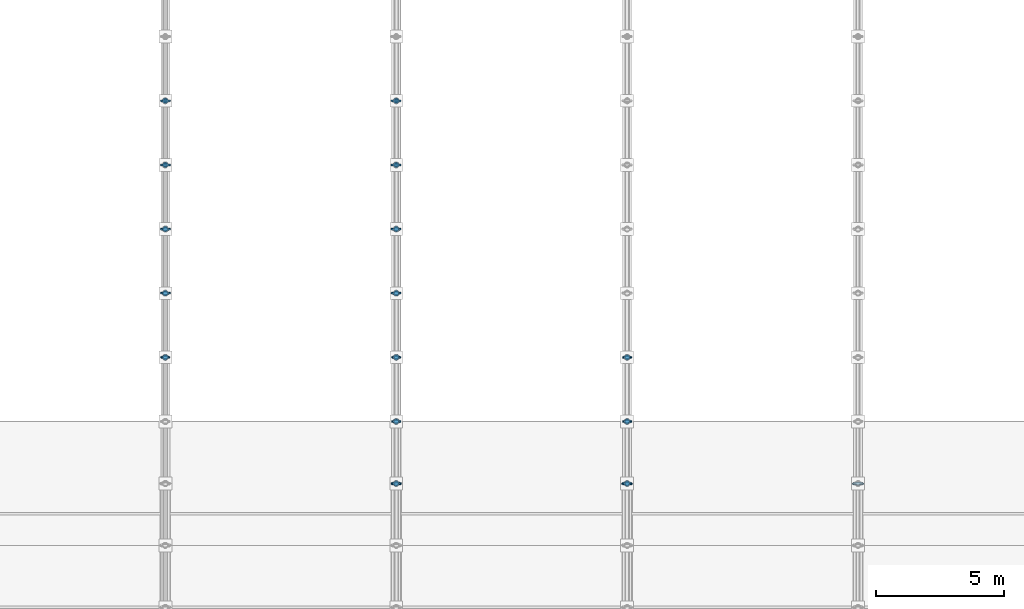
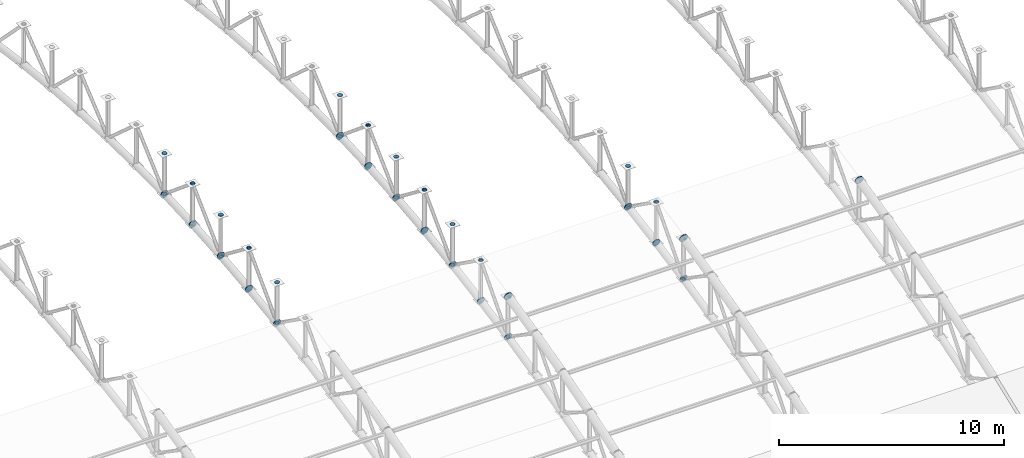
# One storey, part 123 of 195: 93 discrete accessories.
"""IFC4 building model written with IfcOpenShell, lengths in metres."""

from ifc_helpers import new_model, si_unit, direction, frame, origin, origin_2d, place, context, subcontext, project, spatial, circle, extrude, material, element, save


model = new_model("IFC4")

# Units and contexts
model_context = context("Model", 3, precision=1e-05, world=origin(), true_north=direction((0.0, 1.0)))
body_context = subcontext(model_context, "Body", "Model", "MODEL_VIEW")
ifc_project = project(units=[si_unit("LENGTHUNIT", "METRE"), si_unit("AREAUNIT", "SQUARE_METRE"), si_unit("VOLUMEUNIT", "CUBIC_METRE"), si_unit("PLANEANGLEUNIT", "RADIAN"), si_unit("MASSUNIT", "GRAM", prefix="KILO")], contexts=[model_context])

# Site, building, storey
site_placement = place(None, origin())
site = spatial("IfcSite", under=ifc_project, at=site_placement, CompositionType="ELEMENT")
building_placement = place(site_placement, origin())
building = spatial("IfcBuilding", under=site, at=building_placement, Name="Marlcrest Central Station", CompositionType="ELEMENT")
storey_placement = place(building_placement, frame((0.0, 0.0, 9.800048828125)))
storey = spatial("IfcBuildingStorey", under=building, at=storey_placement, Name="L02", CompositionType="ELEMENT", Elevation=9.800048828125)

# Discrete accessories
ifc_material = material(Name="Steel S355", Category="steel")
discrete_accessory_1_placement = place(storey_placement, frame((36.0, 53.475341796875, 3.826416015625), z_axis=(0.0, 0.98574109921, 0.168269086076), x_axis=(-1.0, 0.0, 0.0)))
element("IfcDiscreteAccessory", 1, at=discrete_accessory_1_placement, inside=storey, material=ifc_material, Name="endcap-mem-AC-02-L02-00552-e", ObjectType="END_CAP_PLATE", PredefinedType="BRACKET", context=body_context, shape_type="SweptSolid", body=[
    extrude(circle(Radius=0.185791015625, at=origin_2d()), origin(), (0.0, 0.0, 1.0), 0.0400390625),
])
discrete_accessory_2_placement = place(storey_placement, frame((36.0, 53.4794921875, 3.844970703125), z_axis=(0.0, 0.815661132754, -0.57852996164), x_axis=(-1.0, 0.0, 0.0)))
element("IfcDiscreteAccessory", 2, at=discrete_accessory_2_placement, inside=storey, material=ifc_material, Name="endcap-mem-AD-01-L02-00554-e", ObjectType="END_CAP_PLATE", PredefinedType="BRACKET", context=body_context, shape_type="SweptSolid", body=[
    extrude(circle(Radius=0.092041015625, at=origin_2d()), origin(), (0.0, 0.0, 1.0), 0.0400390625),
])
for number, where, z_axis, x_axis, name in (
    (3, (36.0, 53.485107421875, 3.82861328125), (0.0, 0.990402740232, 0.138211476152), (-1.0, 0.0, 0.0), "endcap-mem-AC-02-L02-00556-s"),
    (4, (36.0, 55.975341796875, 4.176025390625), (0.0, 0.990402740232, 0.138211476152), (-1.0, 0.0, 0.0), "endcap-mem-AC-02-L02-00556-e"),
):
    element("IfcDiscreteAccessory", number, at=place(storey_placement, frame(where, z_axis=z_axis, x_axis=x_axis)), inside=storey, material=ifc_material, Name=name, ObjectType="END_CAP_PLATE", PredefinedType="BRACKET", context=body_context, shape_type="SweptSolid", body=[
        extrude(circle(Radius=0.185791015625, at=origin_2d()), origin(), (0.0, 0.0, 1.0), 0.0400390625),
    ])
for number, where, z_axis, x_axis, name in (
    (5, (36.0, 53.5, 3.815673828125), (0.0, 0.0, 1.0), (1.0, 0.0, 0.0), "endcap-mem-AP-01-L02-00557-s"),
    (6, (36.0, 53.5, 6.005615234375), (0.0, 0.0, 1.0), (1.0, 0.0, 0.0), "endcap-mem-AP-01-L02-00557-e"),
):
    element("IfcDiscreteAccessory", number, at=place(storey_placement, frame(where, z_axis=z_axis, x_axis=x_axis)), inside=storey, material=ifc_material, Name=name, ObjectType="END_CAP_PLATE", PredefinedType="BRACKET", context=body_context, shape_type="SweptSolid", body=[
        extrude(circle(Radius=0.117431640625, at=origin_2d()), origin(), (0.0, 0.0, 1.0), 0.0400390625),
    ])
for number, where, z_axis, x_axis, name in (
    (7, (36.0, 53.489501953125, 3.81982421875), (0.0, 0.70023547796, 0.713911952139), (-1.0, 0.0, 0.0), "endcap-mem-AD-01-L02-00558-s"),
    (8, (36.0, 55.982421875, 6.361572265625), (0.0, 0.70023547796, 0.713911952139), (-1.0, 0.0, 0.0), "endcap-mem-AD-01-L02-00558-e"),
):
    element("IfcDiscreteAccessory", number, at=place(storey_placement, frame(where, z_axis=z_axis, x_axis=x_axis)), inside=storey, material=ifc_material, Name=name, ObjectType="END_CAP_PLATE", PredefinedType="BRACKET", context=body_context, shape_type="SweptSolid", body=[
        extrude(circle(Radius=0.092041015625, at=origin_2d()), origin(), (0.0, 0.0, 1.0), 0.0400390625),
    ])
for number, where, z_axis, x_axis, name in (
    (9, (36.0, 55.985107421875, 4.177734375), (0.0, 0.994155341034, 0.107959056565), (-1.0, 0.0, 0.0), "endcap-mem-AC-02-L02-00560-s"),
    (10, (36.0, 58.47509765625, 4.4482421875), (0.0, 0.994155341034, 0.107959056565), (-1.0, 0.0, 0.0), "endcap-mem-AC-02-L02-00560-e"),
):
    element("IfcDiscreteAccessory", number, at=place(storey_placement, frame(where, z_axis=z_axis, x_axis=x_axis)), inside=storey, material=ifc_material, Name=name, ObjectType="END_CAP_PLATE", PredefinedType="BRACKET", context=body_context, shape_type="SweptSolid", body=[
        extrude(circle(Radius=0.185791015625, at=origin_2d()), origin(), (0.0, 0.0, 1.0), 0.0400390625),
    ])
for number, where, z_axis, x_axis, name in (
    (11, (36.0, 56.0, 4.16455078125), (0.0, 0.0, 1.0), (1.0, 0.0, 0.0), "endcap-mem-AP-01-L02-00561-s"),
    (12, (36.0, 56.0, 6.3544921875), (0.0, 0.0, 1.0), (1.0, 0.0, 0.0), "endcap-mem-AP-01-L02-00561-e"),
):
    element("IfcDiscreteAccessory", number, at=place(storey_placement, frame(where, z_axis=z_axis, x_axis=x_axis)), inside=storey, material=ifc_material, Name=name, ObjectType="END_CAP_PLATE", PredefinedType="BRACKET", context=body_context, shape_type="SweptSolid", body=[
        extrude(circle(Radius=0.117431640625, at=origin_2d()), origin(), (0.0, 0.0, 1.0), 0.0400390625),
    ])
for number, where, z_axis, x_axis, name in (
    (13, (36.0, 55.988037109375, 6.388671875), (0.0, 0.791798282026, -0.610782678684), (-1.0, 0.0, 0.0), "endcap-mem-AD-01-L02-00562-s"),
    (14, (36.0, 58.480224609375, 4.46630859375), (0.0, 0.791798282026, -0.610782678684), (-1.0, 0.0, 0.0), "endcap-mem-AD-01-L02-00562-e"),
):
    element("IfcDiscreteAccessory", number, at=place(storey_placement, frame(where, z_axis=z_axis, x_axis=x_axis)), inside=storey, material=ifc_material, Name=name, ObjectType="END_CAP_PLATE", PredefinedType="BRACKET", context=body_context, shape_type="SweptSolid", body=[
        extrude(circle(Radius=0.092041015625, at=origin_2d()), origin(), (0.0, 0.0, 1.0), 0.0400390625),
    ])
for number, where, z_axis, x_axis, name in (
    (15, (36.0, 58.485107421875, 4.44970703125), (0.0, 0.997007334767, 0.077307014043), (-1.0, 0.0, 0.0), "endcap-mem-AC-02-L02-00564-s"),
    (16, (36.0, 60.97509765625, 4.642822265625), (0.0, 0.997007334767, 0.077307014043), (-1.0, 0.0, 0.0), "endcap-mem-AC-02-L02-00564-e"),
):
    element("IfcDiscreteAccessory", number, at=place(storey_placement, frame(where, z_axis=z_axis, x_axis=x_axis)), inside=storey, material=ifc_material, Name=name, ObjectType="END_CAP_PLATE", PredefinedType="BRACKET", context=body_context, shape_type="SweptSolid", body=[
        extrude(circle(Radius=0.185791015625, at=origin_2d()), origin(), (0.0, 0.0, 1.0), 0.0400390625),
    ])
for number, where, z_axis, x_axis, name in (
    (17, (36.0, 58.5, 4.43603515625), (0.0, 0.0, 1.0), (1.0, 0.0, 0.0), "endcap-mem-AP-01-L02-00565-s"),
    (18, (36.0, 58.5, 6.6259765625), (0.0, 0.0, 1.0), (1.0, 0.0, 0.0), "endcap-mem-AP-01-L02-00565-e"),
):
    element("IfcDiscreteAccessory", number, at=place(storey_placement, frame(where, z_axis=z_axis, x_axis=x_axis)), inside=storey, material=ifc_material, Name=name, ObjectType="END_CAP_PLATE", PredefinedType="BRACKET", context=body_context, shape_type="SweptSolid", body=[
        extrude(circle(Radius=0.117431640625, at=origin_2d()), origin(), (0.0, 0.0, 1.0), 0.0400390625),
    ])
for number, where, z_axis, x_axis, name in (
    (19, (36.0, 58.4892578125, 4.440673828125), (0.0, 0.722246537655, 0.691635698071), (-1.0, 0.0, 0.0), "endcap-mem-AD-01-L02-00566-s"),
    (20, (36.0, 60.98193359375, 6.82763671875), (0.0, 0.722246537655, 0.691635698071), (-1.0, 0.0, 0.0), "endcap-mem-AD-01-L02-00566-e"),
):
    element("IfcDiscreteAccessory", number, at=place(storey_placement, frame(where, z_axis=z_axis, x_axis=x_axis)), inside=storey, material=ifc_material, Name=name, ObjectType="END_CAP_PLATE", PredefinedType="BRACKET", context=body_context, shape_type="SweptSolid", body=[
        extrude(circle(Radius=0.092041015625, at=origin_2d()), origin(), (0.0, 0.0, 1.0), 0.0400390625),
    ])
for number, where, z_axis, x_axis, name in (
    (21, (36.0, 60.985107421875, 4.64404296875), (0.0, 0.998916819647, 0.046531574509), (-1.0, 0.0, 0.0), "endcap-mem-AC-02-L02-00568-s"),
    (22, (36.0, 63.47509765625, 4.760009765625), (0.0, 0.998916819647, 0.046531574509), (-1.0, 0.0, 0.0), "endcap-mem-AC-02-L02-00568-e"),
):
    element("IfcDiscreteAccessory", number, at=place(storey_placement, frame(where, z_axis=z_axis, x_axis=x_axis)), inside=storey, material=ifc_material, Name=name, ObjectType="END_CAP_PLATE", PredefinedType="BRACKET", context=body_context, shape_type="SweptSolid", body=[
        extrude(circle(Radius=0.185791015625, at=origin_2d()), origin(), (0.0, 0.0, 1.0), 0.0400390625),
    ])
for number, where, z_axis, x_axis, name in (
    (23, (36.0, 61.0, 4.6298828125), (0.0, 0.0, 1.0), (1.0, 0.0, 0.0), "endcap-mem-AP-01-L02-00569-s"),
    (24, (36.0, 61.0, 6.820068359375), (0.0, 0.0, 1.0), (1.0, 0.0, 0.0), "endcap-mem-AP-01-L02-00569-e"),
):
    element("IfcDiscreteAccessory", number, at=place(storey_placement, frame(where, z_axis=z_axis, x_axis=x_axis)), inside=storey, material=ifc_material, Name=name, ObjectType="END_CAP_PLATE", PredefinedType="BRACKET", context=body_context, shape_type="SweptSolid", body=[
        extrude(circle(Radius=0.117431640625, at=origin_2d()), origin(), (0.0, 0.0, 1.0), 0.0400390625),
    ])
for number, where, z_axis, x_axis, name in (
    (25, (36.0, 60.988525390625, 6.8544921875), (0.0, 0.768159787854, -0.640258182552), (-1.0, 0.0, 0.0), "endcap-mem-AD-01-L02-00570-s"),
    (26, (36.0, 63.480712890625, 4.77734375), (0.0, 0.768159787854, -0.640258182552), (-1.0, 0.0, 0.0), "endcap-mem-AD-01-L02-00570-e"),
):
    element("IfcDiscreteAccessory", number, at=place(storey_placement, frame(where, z_axis=z_axis, x_axis=x_axis)), inside=storey, material=ifc_material, Name=name, ObjectType="END_CAP_PLATE", PredefinedType="BRACKET", context=body_context, shape_type="SweptSolid", body=[
        extrude(circle(Radius=0.092041015625, at=origin_2d()), origin(), (0.0, 0.0, 1.0), 0.0400390625),
    ])
discrete_accessory_3_placement = place(storey_placement, frame((36.0, 63.485107421875, 4.760986328125), z_axis=(0.0, 0.999879472592, 0.01552547228), x_axis=(-1.0, 0.0, 0.0)))
element("IfcDiscreteAccessory", 27, at=discrete_accessory_3_placement, inside=storey, material=ifc_material, Name="endcap-mem-AC-02-L02-00572-s", ObjectType="END_CAP_PLATE", PredefinedType="BRACKET", context=body_context, shape_type="SweptSolid", body=[
    extrude(circle(Radius=0.185791015625, at=origin_2d()), origin(), (0.0, 0.0, 1.0), 0.0400390625),
])
for number, where, z_axis, x_axis, name in (
    (28, (36.0, 63.5, 4.746337890625), (0.0, 0.0, 1.0), (1.0, 0.0, 0.0), "endcap-mem-AP-01-L02-00573-s"),
    (29, (36.0, 63.5, 6.936279296875), (0.0, 0.0, 1.0), (1.0, 0.0, 0.0), "endcap-mem-AP-01-L02-00573-e"),
):
    element("IfcDiscreteAccessory", number, at=place(storey_placement, frame(where, z_axis=z_axis, x_axis=x_axis)), inside=storey, material=ifc_material, Name=name, ObjectType="END_CAP_PLATE", PredefinedType="BRACKET", context=body_context, shape_type="SweptSolid", body=[
        extrude(circle(Radius=0.117431640625, at=origin_2d()), origin(), (0.0, 0.0, 1.0), 0.0400390625),
    ])
discrete_accessory_4_placement = place(storey_placement, frame((36.0, 63.48876953125, 4.751220703125), z_axis=(0.0, 0.744955843007, 0.66711377738), x_axis=(-1.0, 0.0, 0.0)))
element("IfcDiscreteAccessory", 30, at=discrete_accessory_4_placement, inside=storey, material=ifc_material, Name="endcap-mem-AD-01-L02-00574-s", ObjectType="END_CAP_PLATE", PredefinedType="BRACKET", context=body_context, shape_type="SweptSolid", body=[
    extrude(circle(Radius=0.092041015625, at=origin_2d()), origin(), (0.0, 0.0, 1.0), 0.0400390625),
])
discrete_accessory_5_placement = place(storey_placement, frame((45.0, 48.5556640625, 5.111328125), z_axis=(0.0, 0.974329612642, 0.225126200004), x_axis=(-1.0, 0.0, 0.0)))
element("IfcDiscreteAccessory", 31, at=discrete_accessory_5_placement, inside=storey, material=ifc_material, Name="endcap-mem-AC-01-L02-00659-e", ObjectType="END_CAP_PLATE", PredefinedType="BRACKET", context=body_context, shape_type="SweptSolid", body=[
    extrude(circle(Radius=0.211181640625, at=origin_2d()), origin(), (0.0, 0.0, 1.0), 0.0400390625),
])
discrete_accessory_6_placement = place(storey_placement, frame((45.0, 48.5556640625, 2.911376953125), z_axis=(0.0, 0.974307959875, 0.225219891049), x_axis=(-1.0, 0.0, 0.0)))
element("IfcDiscreteAccessory", 32, at=discrete_accessory_6_placement, inside=storey, material=ifc_material, Name="endcap-mem-AC-02-L02-00660-e", ObjectType="END_CAP_PLATE", PredefinedType="BRACKET", context=body_context, shape_type="SweptSolid", body=[
    extrude(circle(Radius=0.185791015625, at=origin_2d()), origin(), (0.0, 0.0, 1.0), 0.0400390625),
])
discrete_accessory_7_placement = place(storey_placement, frame((45.0, 48.559326171875, 2.93115234375), z_axis=(0.0, 0.82626275624, -0.563284881432), x_axis=(-1.0, 0.0, 0.0)))
element("IfcDiscreteAccessory", 33, at=discrete_accessory_7_placement, inside=storey, material=ifc_material, Name="endcap-mem-AD-01-L02-00662-e", ObjectType="END_CAP_PLATE", PredefinedType="BRACKET", context=body_context, shape_type="SweptSolid", body=[
    extrude(circle(Radius=0.092041015625, at=origin_2d()), origin(), (0.0, 0.0, 1.0), 0.0400390625),
])
for number, where, z_axis, x_axis, name in (
    (34, (45.0, 48.5654296875, 2.9140625), (0.0, 0.980359417961, 0.197219196874), (-1.0, 0.0, 0.0), "endcap-mem-AC-02-L02-00664-s"),
    (35, (45.0, 50.9755859375, 3.39892578125), (0.0, 0.980359417961, 0.197219196874), (-1.0, 0.0, 0.0), "endcap-mem-AC-02-L02-00664-e"),
):
    element("IfcDiscreteAccessory", number, at=place(storey_placement, frame(where, z_axis=z_axis, x_axis=x_axis)), inside=storey, material=ifc_material, Name=name, ObjectType="END_CAP_PLATE", PredefinedType="BRACKET", context=body_context, shape_type="SweptSolid", body=[
        extrude(circle(Radius=0.185791015625, at=origin_2d()), origin(), (0.0, 0.0, 1.0), 0.0400390625),
    ])
for number, where, z_axis, x_axis, name in (
    (36, (45.0, 48.580078125, 2.902099609375), (0.0, 0.0, 1.0), (1.0, 0.0, 0.0), "endcap-mem-AP-01-L02-00665-s"),
    (37, (45.0, 48.580078125, 5.092041015625), (0.0, 0.0, 1.0), (1.0, 0.0, 0.0), "endcap-mem-AP-01-L02-00665-e"),
):
    element("IfcDiscreteAccessory", number, at=place(storey_placement, frame(where, z_axis=z_axis, x_axis=x_axis)), inside=storey, material=ifc_material, Name=name, ObjectType="END_CAP_PLATE", PredefinedType="BRACKET", context=body_context, shape_type="SweptSolid", body=[
        extrude(circle(Radius=0.117431640625, at=origin_2d()), origin(), (0.0, 0.0, 1.0), 0.0400390625),
    ])
for number, where, z_axis, x_axis, name in (
    (38, (45.0, 48.570068359375, 2.90576171875), (0.0, 0.669244457479, 0.743042297675), (-1.0, 0.0, 0.0), "endcap-mem-AD-01-L02-00666-s"),
    (39, (45.0, 50.983154296875, 5.585205078125), (0.0, 0.669244457479, 0.743042297675), (-1.0, 0.0, 0.0), "endcap-mem-AD-01-L02-00666-e"),
):
    element("IfcDiscreteAccessory", number, at=place(storey_placement, frame(where, z_axis=z_axis, x_axis=x_axis)), inside=storey, material=ifc_material, Name=name, ObjectType="END_CAP_PLATE", PredefinedType="BRACKET", context=body_context, shape_type="SweptSolid", body=[
        extrude(circle(Radius=0.092041015625, at=origin_2d()), origin(), (0.0, 0.0, 1.0), 0.0400390625),
    ])
for number, where, z_axis, x_axis, name in (
    (40, (45.0, 50.985107421875, 3.4013671875), (0.0, 0.98574109921, 0.168269086076), (-1.0, 0.0, 0.0), "endcap-mem-AC-02-L02-00668-s"),
    (41, (45.0, 53.475341796875, 3.826416015625), (0.0, 0.98574109921, 0.168269086076), (-1.0, 0.0, 0.0), "endcap-mem-AC-02-L02-00668-e"),
):
    element("IfcDiscreteAccessory", number, at=place(storey_placement, frame(where, z_axis=z_axis, x_axis=x_axis)), inside=storey, material=ifc_material, Name=name, ObjectType="END_CAP_PLATE", PredefinedType="BRACKET", context=body_context, shape_type="SweptSolid", body=[
        extrude(circle(Radius=0.185791015625, at=origin_2d()), origin(), (0.0, 0.0, 1.0), 0.0400390625),
    ])
for number, where, z_axis, x_axis, name in (
    (42, (45.0, 51.0, 3.388916015625), (0.0, 0.0, 1.0), (1.0, 0.0, 0.0), "endcap-mem-AP-01-L02-00669-s"),
    (43, (45.0, 51.0, 5.578857421875), (0.0, 0.0, 1.0), (1.0, 0.0, 0.0), "endcap-mem-AP-01-L02-00669-e"),
):
    element("IfcDiscreteAccessory", number, at=place(storey_placement, frame(where, z_axis=z_axis, x_axis=x_axis)), inside=storey, material=ifc_material, Name=name, ObjectType="END_CAP_PLATE", PredefinedType="BRACKET", context=body_context, shape_type="SweptSolid", body=[
        extrude(circle(Radius=0.117431640625, at=origin_2d()), origin(), (0.0, 0.0, 1.0), 0.0400390625),
    ])
for number, where, z_axis, x_axis, name in (
    (44, (45.0, 50.98779296875, 5.612548828125), (0.0, 0.815661132754, -0.57852996164), (-1.0, 0.0, 0.0), "endcap-mem-AD-01-L02-00670-s"),
    (45, (45.0, 53.4794921875, 3.844970703125), (0.0, 0.815661132754, -0.57852996164), (-1.0, 0.0, 0.0), "endcap-mem-AD-01-L02-00670-e"),
):
    element("IfcDiscreteAccessory", number, at=place(storey_placement, frame(where, z_axis=z_axis, x_axis=x_axis)), inside=storey, material=ifc_material, Name=name, ObjectType="END_CAP_PLATE", PredefinedType="BRACKET", context=body_context, shape_type="SweptSolid", body=[
        extrude(circle(Radius=0.092041015625, at=origin_2d()), origin(), (0.0, 0.0, 1.0), 0.0400390625),
    ])
for number, where, z_axis, x_axis, name in (
    (46, (45.0, 53.485107421875, 3.82861328125), (0.0, 0.990402740232, 0.138211476152), (-1.0, 0.0, 0.0), "endcap-mem-AC-02-L02-00672-s"),
    (47, (45.0, 55.975341796875, 4.176025390625), (0.0, 0.990402740232, 0.138211476152), (-1.0, 0.0, 0.0), "endcap-mem-AC-02-L02-00672-e"),
):
    element("IfcDiscreteAccessory", number, at=place(storey_placement, frame(where, z_axis=z_axis, x_axis=x_axis)), inside=storey, material=ifc_material, Name=name, ObjectType="END_CAP_PLATE", PredefinedType="BRACKET", context=body_context, shape_type="SweptSolid", body=[
        extrude(circle(Radius=0.185791015625, at=origin_2d()), origin(), (0.0, 0.0, 1.0), 0.0400390625),
    ])
for number, where, z_axis, x_axis, name in (
    (48, (45.0, 53.5, 3.815673828125), (0.0, 0.0, 1.0), (1.0, 0.0, 0.0), "endcap-mem-AP-01-L02-00673-s"),
    (49, (45.0, 53.5, 6.005615234375), (0.0, 0.0, 1.0), (1.0, 0.0, 0.0), "endcap-mem-AP-01-L02-00673-e"),
):
    element("IfcDiscreteAccessory", number, at=place(storey_placement, frame(where, z_axis=z_axis, x_axis=x_axis)), inside=storey, material=ifc_material, Name=name, ObjectType="END_CAP_PLATE", PredefinedType="BRACKET", context=body_context, shape_type="SweptSolid", body=[
        extrude(circle(Radius=0.117431640625, at=origin_2d()), origin(), (0.0, 0.0, 1.0), 0.0400390625),
    ])
for number, where, z_axis, x_axis, name in (
    (50, (45.0, 53.489501953125, 3.81982421875), (0.0, 0.70023547796, 0.713911952139), (-1.0, 0.0, 0.0), "endcap-mem-AD-01-L02-00674-s"),
    (51, (45.0, 55.982421875, 6.361572265625), (0.0, 0.70023547796, 0.713911952139), (-1.0, 0.0, 0.0), "endcap-mem-AD-01-L02-00674-e"),
):
    element("IfcDiscreteAccessory", number, at=place(storey_placement, frame(where, z_axis=z_axis, x_axis=x_axis)), inside=storey, material=ifc_material, Name=name, ObjectType="END_CAP_PLATE", PredefinedType="BRACKET", context=body_context, shape_type="SweptSolid", body=[
        extrude(circle(Radius=0.092041015625, at=origin_2d()), origin(), (0.0, 0.0, 1.0), 0.0400390625),
    ])
for number, where, z_axis, x_axis, name in (
    (52, (45.0, 55.985107421875, 4.177734375), (0.0, 0.994155341034, 0.107959056565), (-1.0, 0.0, 0.0), "endcap-mem-AC-02-L02-00676-s"),
    (53, (45.0, 58.47509765625, 4.4482421875), (0.0, 0.994155341034, 0.107959056565), (-1.0, 0.0, 0.0), "endcap-mem-AC-02-L02-00676-e"),
):
    element("IfcDiscreteAccessory", number, at=place(storey_placement, frame(where, z_axis=z_axis, x_axis=x_axis)), inside=storey, material=ifc_material, Name=name, ObjectType="END_CAP_PLATE", PredefinedType="BRACKET", context=body_context, shape_type="SweptSolid", body=[
        extrude(circle(Radius=0.185791015625, at=origin_2d()), origin(), (0.0, 0.0, 1.0), 0.0400390625),
    ])
for number, where, z_axis, x_axis, name in (
    (54, (45.0, 56.0, 4.16455078125), (0.0, 0.0, 1.0), (1.0, 0.0, 0.0), "endcap-mem-AP-01-L02-00677-s"),
    (55, (45.0, 56.0, 6.3544921875), (0.0, 0.0, 1.0), (1.0, 0.0, 0.0), "endcap-mem-AP-01-L02-00677-e"),
):
    element("IfcDiscreteAccessory", number, at=place(storey_placement, frame(where, z_axis=z_axis, x_axis=x_axis)), inside=storey, material=ifc_material, Name=name, ObjectType="END_CAP_PLATE", PredefinedType="BRACKET", context=body_context, shape_type="SweptSolid", body=[
        extrude(circle(Radius=0.117431640625, at=origin_2d()), origin(), (0.0, 0.0, 1.0), 0.0400390625),
    ])
for number, where, z_axis, x_axis, name in (
    (56, (45.0, 55.988037109375, 6.388671875), (0.0, 0.791798282026, -0.610782678684), (-1.0, 0.0, 0.0), "endcap-mem-AD-01-L02-00678-s"),
    (57, (45.0, 58.480224609375, 4.46630859375), (0.0, 0.791798282026, -0.610782678684), (-1.0, 0.0, 0.0), "endcap-mem-AD-01-L02-00678-e"),
):
    element("IfcDiscreteAccessory", number, at=place(storey_placement, frame(where, z_axis=z_axis, x_axis=x_axis)), inside=storey, material=ifc_material, Name=name, ObjectType="END_CAP_PLATE", PredefinedType="BRACKET", context=body_context, shape_type="SweptSolid", body=[
        extrude(circle(Radius=0.092041015625, at=origin_2d()), origin(), (0.0, 0.0, 1.0), 0.0400390625),
    ])
for number, where, z_axis, x_axis, name in (
    (58, (45.0, 58.485107421875, 4.44970703125), (0.0, 0.997007334767, 0.077307014043), (-1.0, 0.0, 0.0), "endcap-mem-AC-02-L02-00680-s"),
    (59, (45.0, 60.97509765625, 4.642822265625), (0.0, 0.997007334767, 0.077307014043), (-1.0, 0.0, 0.0), "endcap-mem-AC-02-L02-00680-e"),
):
    element("IfcDiscreteAccessory", number, at=place(storey_placement, frame(where, z_axis=z_axis, x_axis=x_axis)), inside=storey, material=ifc_material, Name=name, ObjectType="END_CAP_PLATE", PredefinedType="BRACKET", context=body_context, shape_type="SweptSolid", body=[
        extrude(circle(Radius=0.185791015625, at=origin_2d()), origin(), (0.0, 0.0, 1.0), 0.0400390625),
    ])
for number, where, z_axis, x_axis, name in (
    (60, (45.0, 58.5, 4.43603515625), (0.0, 0.0, 1.0), (1.0, 0.0, 0.0), "endcap-mem-AP-01-L02-00681-s"),
    (61, (45.0, 58.5, 6.6259765625), (0.0, 0.0, 1.0), (1.0, 0.0, 0.0), "endcap-mem-AP-01-L02-00681-e"),
):
    element("IfcDiscreteAccessory", number, at=place(storey_placement, frame(where, z_axis=z_axis, x_axis=x_axis)), inside=storey, material=ifc_material, Name=name, ObjectType="END_CAP_PLATE", PredefinedType="BRACKET", context=body_context, shape_type="SweptSolid", body=[
        extrude(circle(Radius=0.117431640625, at=origin_2d()), origin(), (0.0, 0.0, 1.0), 0.0400390625),
    ])
for number, where, z_axis, x_axis, name in (
    (62, (45.0, 58.4892578125, 4.440673828125), (0.0, 0.722246537655, 0.691635698071), (-1.0, 0.0, 0.0), "endcap-mem-AD-01-L02-00682-s"),
    (63, (45.0, 60.98193359375, 6.82763671875), (0.0, 0.722246537655, 0.691635698071), (-1.0, 0.0, 0.0), "endcap-mem-AD-01-L02-00682-e"),
):
    element("IfcDiscreteAccessory", number, at=place(storey_placement, frame(where, z_axis=z_axis, x_axis=x_axis)), inside=storey, material=ifc_material, Name=name, ObjectType="END_CAP_PLATE", PredefinedType="BRACKET", context=body_context, shape_type="SweptSolid", body=[
        extrude(circle(Radius=0.092041015625, at=origin_2d()), origin(), (0.0, 0.0, 1.0), 0.0400390625),
    ])
for number, where, z_axis, x_axis, name in (
    (64, (45.0, 60.985107421875, 4.64404296875), (0.0, 0.998916819647, 0.046531574509), (-1.0, 0.0, 0.0), "endcap-mem-AC-02-L02-00684-s"),
    (65, (45.0, 63.47509765625, 4.760009765625), (0.0, 0.998916819647, 0.046531574509), (-1.0, 0.0, 0.0), "endcap-mem-AC-02-L02-00684-e"),
):
    element("IfcDiscreteAccessory", number, at=place(storey_placement, frame(where, z_axis=z_axis, x_axis=x_axis)), inside=storey, material=ifc_material, Name=name, ObjectType="END_CAP_PLATE", PredefinedType="BRACKET", context=body_context, shape_type="SweptSolid", body=[
        extrude(circle(Radius=0.185791015625, at=origin_2d()), origin(), (0.0, 0.0, 1.0), 0.0400390625),
    ])
for number, where, z_axis, x_axis, name in (
    (66, (45.0, 61.0, 4.6298828125), (0.0, 0.0, 1.0), (1.0, 0.0, 0.0), "endcap-mem-AP-01-L02-00685-s"),
    (67, (45.0, 61.0, 6.820068359375), (0.0, 0.0, 1.0), (1.0, 0.0, 0.0), "endcap-mem-AP-01-L02-00685-e"),
):
    element("IfcDiscreteAccessory", number, at=place(storey_placement, frame(where, z_axis=z_axis, x_axis=x_axis)), inside=storey, material=ifc_material, Name=name, ObjectType="END_CAP_PLATE", PredefinedType="BRACKET", context=body_context, shape_type="SweptSolid", body=[
        extrude(circle(Radius=0.117431640625, at=origin_2d()), origin(), (0.0, 0.0, 1.0), 0.0400390625),
    ])
for number, where, z_axis, x_axis, name in (
    (68, (45.0, 60.988525390625, 6.8544921875), (0.0, 0.768159787854, -0.640258182552), (-1.0, 0.0, 0.0), "endcap-mem-AD-01-L02-00686-s"),
    (69, (45.0, 63.480712890625, 4.77734375), (0.0, 0.768159787854, -0.640258182552), (-1.0, 0.0, 0.0), "endcap-mem-AD-01-L02-00686-e"),
):
    element("IfcDiscreteAccessory", number, at=place(storey_placement, frame(where, z_axis=z_axis, x_axis=x_axis)), inside=storey, material=ifc_material, Name=name, ObjectType="END_CAP_PLATE", PredefinedType="BRACKET", context=body_context, shape_type="SweptSolid", body=[
        extrude(circle(Radius=0.092041015625, at=origin_2d()), origin(), (0.0, 0.0, 1.0), 0.0400390625),
    ])
discrete_accessory_8_placement = place(storey_placement, frame((45.0, 63.485107421875, 4.760986328125), z_axis=(0.0, 0.999879472592, 0.01552547228), x_axis=(-1.0, 0.0, 0.0)))
element("IfcDiscreteAccessory", 70, at=discrete_accessory_8_placement, inside=storey, material=ifc_material, Name="endcap-mem-AC-02-L02-00688-s", ObjectType="END_CAP_PLATE", PredefinedType="BRACKET", context=body_context, shape_type="SweptSolid", body=[
    extrude(circle(Radius=0.185791015625, at=origin_2d()), origin(), (0.0, 0.0, 1.0), 0.0400390625),
])
for number, where, z_axis, x_axis, name in (
    (71, (45.0, 63.5, 4.746337890625), (0.0, 0.0, 1.0), (1.0, 0.0, 0.0), "endcap-mem-AP-01-L02-00689-s"),
    (72, (45.0, 63.5, 6.936279296875), (0.0, 0.0, 1.0), (1.0, 0.0, 0.0), "endcap-mem-AP-01-L02-00689-e"),
):
    element("IfcDiscreteAccessory", number, at=place(storey_placement, frame(where, z_axis=z_axis, x_axis=x_axis)), inside=storey, material=ifc_material, Name=name, ObjectType="END_CAP_PLATE", PredefinedType="BRACKET", context=body_context, shape_type="SweptSolid", body=[
        extrude(circle(Radius=0.117431640625, at=origin_2d()), origin(), (0.0, 0.0, 1.0), 0.0400390625),
    ])
discrete_accessory_9_placement = place(storey_placement, frame((45.0, 63.48876953125, 4.751220703125), z_axis=(0.0, 0.744955843007, 0.66711377738), x_axis=(-1.0, 0.0, 0.0)))
element("IfcDiscreteAccessory", 73, at=discrete_accessory_9_placement, inside=storey, material=ifc_material, Name="endcap-mem-AD-01-L02-00690-s", ObjectType="END_CAP_PLATE", PredefinedType="BRACKET", context=body_context, shape_type="SweptSolid", body=[
    extrude(circle(Radius=0.092041015625, at=origin_2d()), origin(), (0.0, 0.0, 1.0), 0.0400390625),
])
discrete_accessory_10_placement = place(storey_placement, frame((54.0, 48.5556640625, 5.111328125), z_axis=(0.0, 0.974329612642, 0.225126200004), x_axis=(-1.0, 0.0, 0.0)))
element("IfcDiscreteAccessory", 74, at=discrete_accessory_10_placement, inside=storey, material=ifc_material, Name="endcap-mem-AC-01-L02-00775-e", ObjectType="END_CAP_PLATE", PredefinedType="BRACKET", context=body_context, shape_type="SweptSolid", body=[
    extrude(circle(Radius=0.211181640625, at=origin_2d()), origin(), (0.0, 0.0, 1.0), 0.0400390625),
])
discrete_accessory_11_placement = place(storey_placement, frame((54.0, 48.5556640625, 2.911376953125), z_axis=(0.0, 0.974307959875, 0.225219891049), x_axis=(-1.0, 0.0, 0.0)))
element("IfcDiscreteAccessory", 75, at=discrete_accessory_11_placement, inside=storey, material=ifc_material, Name="endcap-mem-AC-02-L02-00776-e", ObjectType="END_CAP_PLATE", PredefinedType="BRACKET", context=body_context, shape_type="SweptSolid", body=[
    extrude(circle(Radius=0.185791015625, at=origin_2d()), origin(), (0.0, 0.0, 1.0), 0.0400390625),
])
discrete_accessory_12_placement = place(storey_placement, frame((54.0, 48.559326171875, 2.93115234375), z_axis=(0.0, 0.82626275624, -0.563284881432), x_axis=(-1.0, 0.0, 0.0)))
element("IfcDiscreteAccessory", 76, at=discrete_accessory_12_placement, inside=storey, material=ifc_material, Name="endcap-mem-AD-01-L02-00778-e", ObjectType="END_CAP_PLATE", PredefinedType="BRACKET", context=body_context, shape_type="SweptSolid", body=[
    extrude(circle(Radius=0.092041015625, at=origin_2d()), origin(), (0.0, 0.0, 1.0), 0.0400390625),
])
for number, where, z_axis, x_axis, name in (
    (77, (54.0, 48.5654296875, 2.9140625), (0.0, 0.980359417961, 0.197219196874), (-1.0, 0.0, 0.0), "endcap-mem-AC-02-L02-00780-s"),
    (78, (54.0, 50.9755859375, 3.39892578125), (0.0, 0.980359417961, 0.197219196874), (-1.0, 0.0, 0.0), "endcap-mem-AC-02-L02-00780-e"),
):
    element("IfcDiscreteAccessory", number, at=place(storey_placement, frame(where, z_axis=z_axis, x_axis=x_axis)), inside=storey, material=ifc_material, Name=name, ObjectType="END_CAP_PLATE", PredefinedType="BRACKET", context=body_context, shape_type="SweptSolid", body=[
        extrude(circle(Radius=0.185791015625, at=origin_2d()), origin(), (0.0, 0.0, 1.0), 0.0400390625),
    ])
for number, where, z_axis, x_axis, name in (
    (79, (54.0, 48.580078125, 2.902099609375), (0.0, 0.0, 1.0), (1.0, 0.0, 0.0), "endcap-mem-AP-01-L02-00781-s"),
    (80, (54.0, 48.580078125, 5.092041015625), (0.0, 0.0, 1.0), (1.0, 0.0, 0.0), "endcap-mem-AP-01-L02-00781-e"),
):
    element("IfcDiscreteAccessory", number, at=place(storey_placement, frame(where, z_axis=z_axis, x_axis=x_axis)), inside=storey, material=ifc_material, Name=name, ObjectType="END_CAP_PLATE", PredefinedType="BRACKET", context=body_context, shape_type="SweptSolid", body=[
        extrude(circle(Radius=0.117431640625, at=origin_2d()), origin(), (0.0, 0.0, 1.0), 0.0400390625),
    ])
for number, where, z_axis, x_axis, name in (
    (81, (54.0, 48.570068359375, 2.90576171875), (0.0, 0.669244457479, 0.743042297675), (-1.0, 0.0, 0.0), "endcap-mem-AD-01-L02-00782-s"),
    (82, (54.0, 50.983154296875, 5.585205078125), (0.0, 0.669244457479, 0.743042297675), (-1.0, 0.0, 0.0), "endcap-mem-AD-01-L02-00782-e"),
):
    element("IfcDiscreteAccessory", number, at=place(storey_placement, frame(where, z_axis=z_axis, x_axis=x_axis)), inside=storey, material=ifc_material, Name=name, ObjectType="END_CAP_PLATE", PredefinedType="BRACKET", context=body_context, shape_type="SweptSolid", body=[
        extrude(circle(Radius=0.092041015625, at=origin_2d()), origin(), (0.0, 0.0, 1.0), 0.0400390625),
    ])
for number, where, z_axis, x_axis, name in (
    (83, (54.0, 50.985107421875, 3.4013671875), (0.0, 0.98574109921, 0.168269086076), (-1.0, 0.0, 0.0), "endcap-mem-AC-02-L02-00784-s"),
    (84, (54.0, 53.475341796875, 3.826416015625), (0.0, 0.98574109921, 0.168269086076), (-1.0, 0.0, 0.0), "endcap-mem-AC-02-L02-00784-e"),
):
    element("IfcDiscreteAccessory", number, at=place(storey_placement, frame(where, z_axis=z_axis, x_axis=x_axis)), inside=storey, material=ifc_material, Name=name, ObjectType="END_CAP_PLATE", PredefinedType="BRACKET", context=body_context, shape_type="SweptSolid", body=[
        extrude(circle(Radius=0.185791015625, at=origin_2d()), origin(), (0.0, 0.0, 1.0), 0.0400390625),
    ])
for number, where, z_axis, x_axis, name in (
    (85, (54.0, 51.0, 3.388916015625), (0.0, 0.0, 1.0), (1.0, 0.0, 0.0), "endcap-mem-AP-01-L02-00785-s"),
    (86, (54.0, 51.0, 5.578857421875), (0.0, 0.0, 1.0), (1.0, 0.0, 0.0), "endcap-mem-AP-01-L02-00785-e"),
):
    element("IfcDiscreteAccessory", number, at=place(storey_placement, frame(where, z_axis=z_axis, x_axis=x_axis)), inside=storey, material=ifc_material, Name=name, ObjectType="END_CAP_PLATE", PredefinedType="BRACKET", context=body_context, shape_type="SweptSolid", body=[
        extrude(circle(Radius=0.117431640625, at=origin_2d()), origin(), (0.0, 0.0, 1.0), 0.0400390625),
    ])
for number, where, z_axis, x_axis, name in (
    (87, (54.0, 50.98779296875, 5.612548828125), (0.0, 0.815661132754, -0.57852996164), (-1.0, 0.0, 0.0), "endcap-mem-AD-01-L02-00786-s"),
    (88, (54.0, 53.4794921875, 3.844970703125), (0.0, 0.815661132754, -0.57852996164), (-1.0, 0.0, 0.0), "endcap-mem-AD-01-L02-00786-e"),
):
    element("IfcDiscreteAccessory", number, at=place(storey_placement, frame(where, z_axis=z_axis, x_axis=x_axis)), inside=storey, material=ifc_material, Name=name, ObjectType="END_CAP_PLATE", PredefinedType="BRACKET", context=body_context, shape_type="SweptSolid", body=[
        extrude(circle(Radius=0.092041015625, at=origin_2d()), origin(), (0.0, 0.0, 1.0), 0.0400390625),
    ])
discrete_accessory_13_placement = place(storey_placement, frame((54.0, 53.485107421875, 3.82861328125), z_axis=(0.0, 0.990402740232, 0.138211476152), x_axis=(-1.0, 0.0, 0.0)))
element("IfcDiscreteAccessory", 89, at=discrete_accessory_13_placement, inside=storey, material=ifc_material, Name="endcap-mem-AC-02-L02-00788-s", ObjectType="END_CAP_PLATE", PredefinedType="BRACKET", context=body_context, shape_type="SweptSolid", body=[
    extrude(circle(Radius=0.185791015625, at=origin_2d()), origin(), (0.0, 0.0, 1.0), 0.0400390625),
])
for number, where, z_axis, x_axis, name in (
    (90, (54.0, 53.5, 3.815673828125), (0.0, 0.0, 1.0), (1.0, 0.0, 0.0), "endcap-mem-AP-01-L02-00789-s"),
    (91, (54.0, 53.5, 6.005615234375), (0.0, 0.0, 1.0), (1.0, 0.0, 0.0), "endcap-mem-AP-01-L02-00789-e"),
):
    element("IfcDiscreteAccessory", number, at=place(storey_placement, frame(where, z_axis=z_axis, x_axis=x_axis)), inside=storey, material=ifc_material, Name=name, ObjectType="END_CAP_PLATE", PredefinedType="BRACKET", context=body_context, shape_type="SweptSolid", body=[
        extrude(circle(Radius=0.117431640625, at=origin_2d()), origin(), (0.0, 0.0, 1.0), 0.0400390625),
    ])
discrete_accessory_14_placement = place(storey_placement, frame((54.0, 53.489501953125, 3.81982421875), z_axis=(0.0, 0.70023547796, 0.713911952139), x_axis=(-1.0, 0.0, 0.0)))
element("IfcDiscreteAccessory", 92, at=discrete_accessory_14_placement, inside=storey, material=ifc_material, Name="endcap-mem-AD-01-L02-00790-s", ObjectType="END_CAP_PLATE", PredefinedType="BRACKET", context=body_context, shape_type="SweptSolid", body=[
    extrude(circle(Radius=0.092041015625, at=origin_2d()), origin(), (0.0, 0.0, 1.0), 0.0400390625),
])
discrete_accessory_15_placement = place(storey_placement, frame((63.0, 48.5556640625, 5.111328125), z_axis=(0.0, 0.974329612642, 0.225126200004), x_axis=(-1.0, 0.0, 0.0)))
element("IfcDiscreteAccessory", 93, at=discrete_accessory_15_placement, inside=storey, material=ifc_material, Name="endcap-mem-AC-01-L02-00891-e", ObjectType="END_CAP_PLATE", PredefinedType="BRACKET", context=body_context, shape_type="SweptSolid", body=[
    extrude(circle(Radius=0.211181640625, at=origin_2d()), origin(), (0.0, 0.0, 1.0), 0.0400390625),
])

save(model, "model.ifc")
